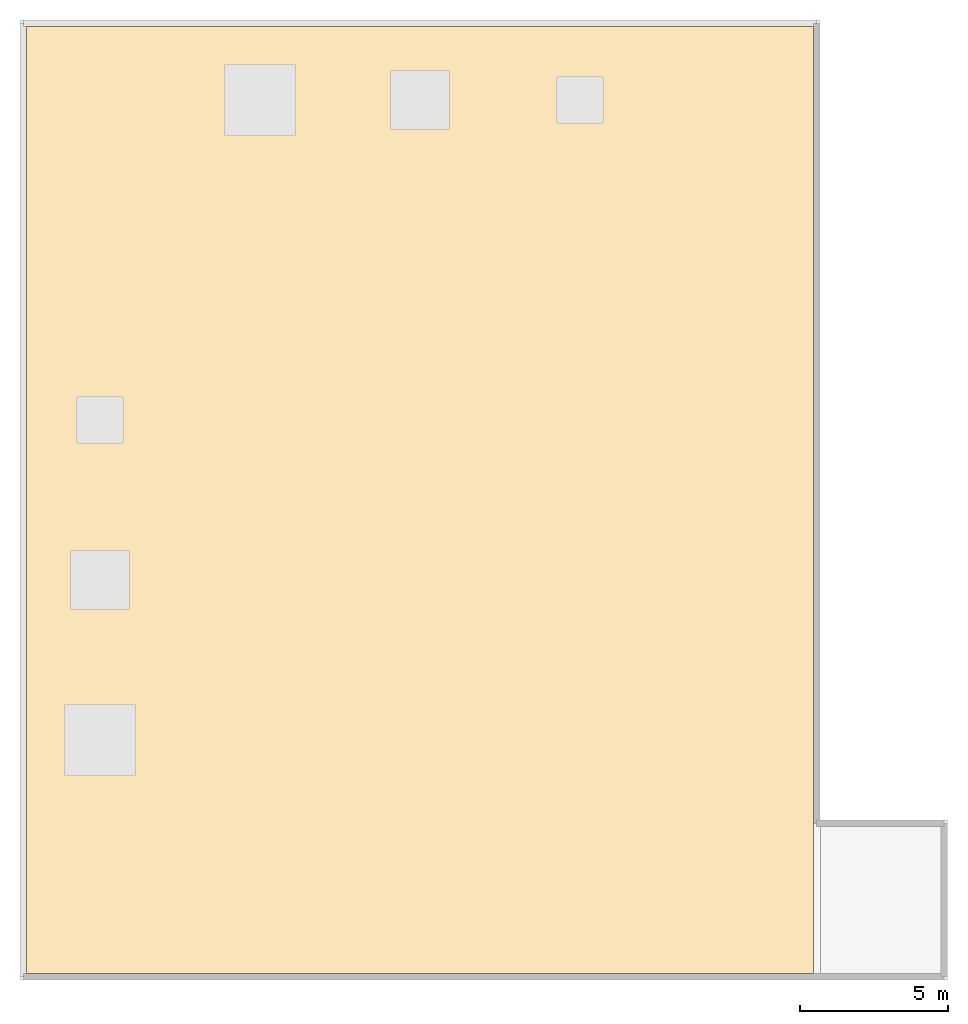
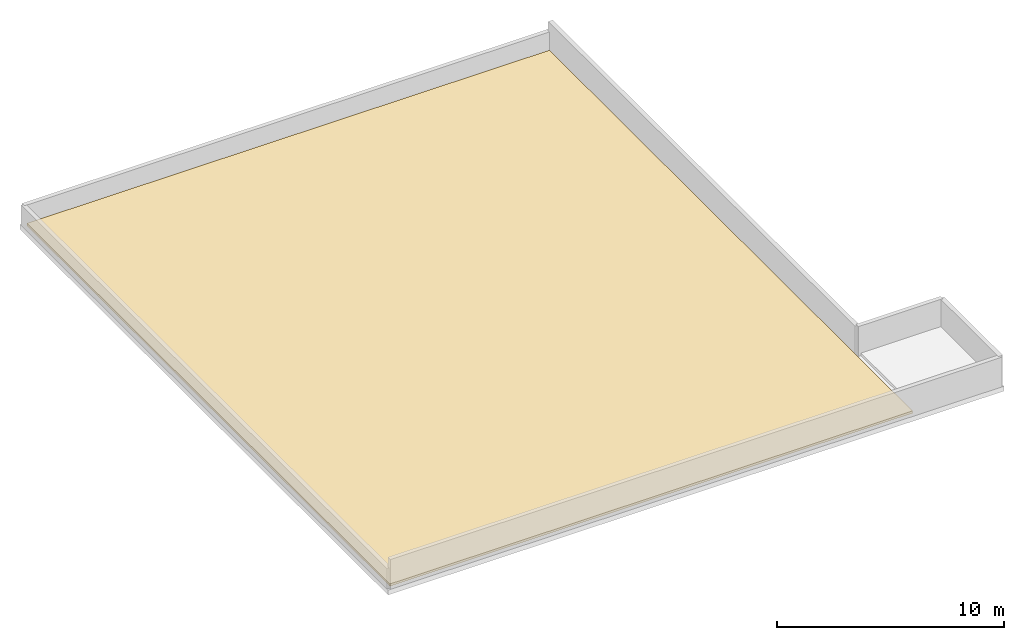
# One storey, part 2 of 2: 1 covering.
"""IFC4 building model written with IfcOpenShell, lengths in metres."""

from ifc_helpers import new_model, si_unit, direction, frame, origin, place, context, subcontext, project, spatial, polyline, outline, extrude, material, layer, layer_set, type_object, element, save


model = new_model("IFC4")

# Units and contexts
model_context = context("Model", 3, precision=1e-05, world=origin(), true_north=direction((0.0, 1.0)))
body_context = subcontext(model_context, "Body", "Model", "MODEL_VIEW")
ifc_project = project(units=[si_unit("LENGTHUNIT", "METRE"), si_unit("AREAUNIT", "SQUARE_METRE"), si_unit("VOLUMEUNIT", "CUBIC_METRE"), si_unit("PLANEANGLEUNIT", "RADIAN"), si_unit("MASSUNIT", "GRAM", prefix="KILO")], contexts=[model_context])

# Site, building, storey
site_placement = place(None, origin())
site = spatial("IfcSite", under=ifc_project, at=site_placement, CompositionType="ELEMENT")
building_placement = place(site_placement, origin())
building = spatial("IfcBuilding", under=site, at=building_placement, Name="Surkhivell Harbour Commons", CompositionType="ELEMENT")
storey_placement = place(building_placement, frame((0.0, 0.0, 364.5)))
storey = spatial("IfcBuildingStorey", under=building, at=storey_placement, Name="RF", CompositionType="ELEMENT", Elevation=364.5)

# Covering
ifc_material = material(Name="Inverted elastomeric waterproofing membrane and rigid insulation", Category="other")
ifc_layer = layer(ifc_material, 0.1201171875)
ifc_layer_set = layer_set([ifc_layer], Name="Inverted elastomeric waterproofing membrane and rigid insulation")
covering_type = type_object("IfcCoveringType", Name="COV-ROOF-MEM", PredefinedType="ROOFING", material=ifc_layer_set)
covering_placement = place(storey_placement, origin())
element("IfcCovering", 1, at=covering_placement, inside=storey, type_object=covering_type, Name="RF Inverted Waterproofing Roof Covering", PredefinedType="ROOFING", context=body_context, shape_type="SweptSolid", body=[
    extrude(outline(polyline([(10.580078125, -15.97998046875), (10.580078125, 15.97998046875), (-15.97998046875, 15.97998046875), (-15.97998046875, -15.97998046875), (10.580078125, -15.97998046875)])), origin(), (0.0, 0.0, 1.0), 0.1201171875),
])

save(model, "model.ifc")
